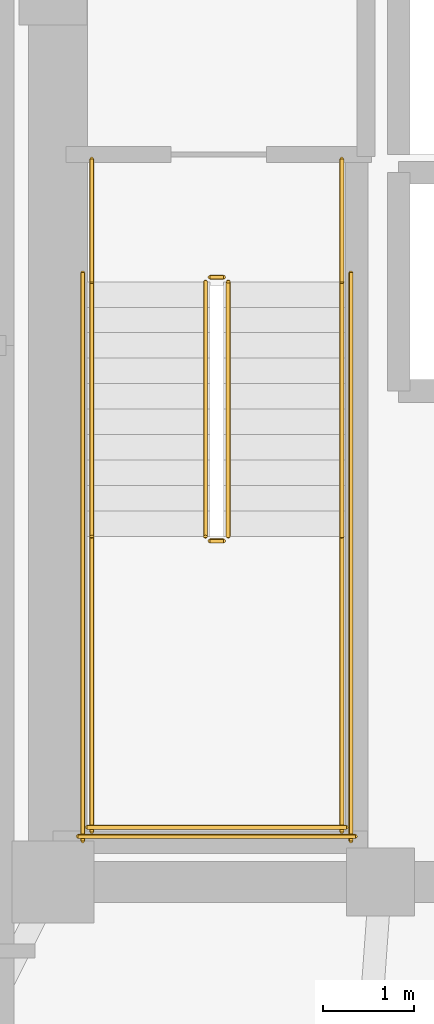
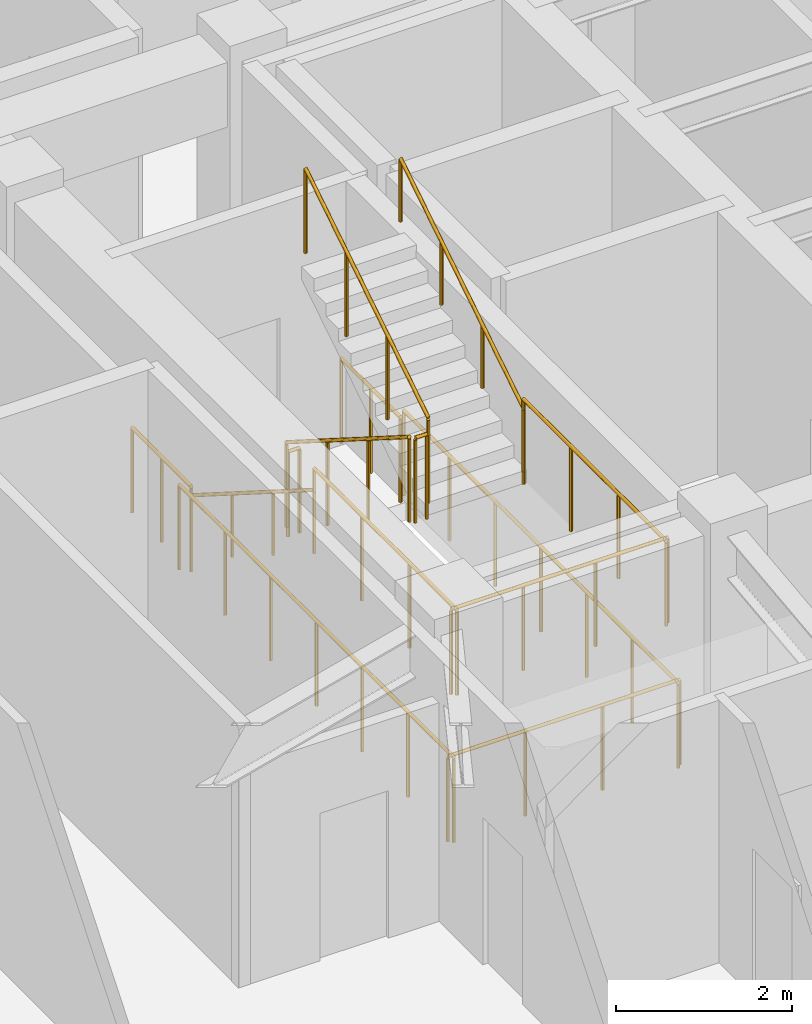
# One storey, part 10 of 12: 14 railings.
"""IFC4 building model written with IfcOpenShell, lengths in metres."""

import ifcopenshell
import ifcopenshell.guid

model = None  # the IFC model being written
_history = None  # IfcOwnerHistory: only IFC2X3 demands one
_inside = {}  # id of a spatial element -> (the spatial element, [elements in it])
_under = {}  # id of a project, library or spatial element -> (it, [spatial elements below it])
_declared = {}  # id of a project -> (the project, [libraries it declares])
_typed = {}  # id of a type object -> (the type object, [elements of that type])
_made_of = {}  # id of a material, layer set ... -> (it, [elements and type objects made of it])


def new_model(schema):
    """Start an empty IFC model of exactly this schema.

    Asked for "IFC4X3", IfcOpenShell would pick the latest addendum, in which some entities
    have other attributes; the version numbers below select the first issue.
    IFC2X3 requires an IfcOwnerHistory on every rooted entity: one is made here for all.
    """
    global model, _history
    if schema == "IFC4X3":
        model = ifcopenshell.file(schema_version=(4, 3, 0, 0))
    else:
        model = ifcopenshell.file(schema=schema)
    _inside.clear()
    _under.clear()
    _declared.clear()
    _typed.clear()
    _made_of.clear()
    _history = None
    if model.schema == "IFC2X3":
        org = make("IfcOrganization", Name="unknown")
        user = make(
            "IfcPersonAndOrganization",
            ThePerson=make("IfcPerson", FamilyName="unknown"),
            TheOrganization=org,
        )
        app = make(
            "IfcApplication",
            ApplicationDeveloper=org,
            Version="unknown",
            ApplicationFullName="unknown",
            ApplicationIdentifier="unknown",
        )
        _history = make(
            "IfcOwnerHistory",
            OwningUser=user,
            OwningApplication=app,
            ChangeAction="ADDED",
            CreationDate=0,
        )
    return model


def make(cls, **values):
    """One entity of the class cls with the attributes given. An attribute that is None is left unset."""
    return model.create_entity(
        cls, **{name: value for name, value in values.items() if value is not None}
    )


def rooted(cls, **values):
    """An entity with a GlobalId (a new one), such as an element, a storey or a relation."""
    return make(cls, GlobalId=ifcopenshell.guid.new(), OwnerHistory=_history, **values)


def si_unit(unit_type, name, prefix=None):
    """IfcSIUnit, for example si_unit("LENGTHUNIT", "METRE", prefix="MILLI")."""
    return make("IfcSIUnit", UnitType=unit_type, Prefix=prefix, Name=name)


def assignment(units):
    """IfcUnitAssignment: the units of a project."""
    return None if units is None else make("IfcUnitAssignment", Units=units)


def point(xyz):
    """IfcCartesianPoint."""
    return None if xyz is None else make("IfcCartesianPoint", Coordinates=xyz)


def direction(xyz):
    """IfcDirection."""
    return None if xyz is None else make("IfcDirection", DirectionRatios=xyz)


def frame(location, z_axis=None, x_axis=None):
    """IfcAxis2Placement3D, a coordinate frame: its origin and axes. An axis left out is left unset."""
    return make(
        "IfcAxis2Placement3D",
        Location=point(location),
        Axis=direction(z_axis),
        RefDirection=direction(x_axis),
    )


def frame_2d(location, x_axis=None):
    """IfcAxis2Placement2D, a coordinate frame in the plane: its origin and x axis."""
    return make(
        "IfcAxis2Placement2D", Location=point(location), RefDirection=direction(x_axis)
    )


def origin():
    """The frame at (0, 0, 0) with its axes left unset."""
    return frame((0.0, 0.0, 0.0))


def origin_2d():
    """The frame at (0, 0) in the plane with its x axis left unset."""
    return frame_2d((0.0, 0.0))


def place(relative_to, where):
    """IfcLocalPlacement: puts the frame where relative to a parent placement (None: the world)."""
    return make(
        "IfcLocalPlacement", PlacementRelTo=relative_to, RelativePlacement=where
    )


def context(
    kind, dimensions, precision=None, world=None, true_north=None, identifier=None
):
    """IfcGeometricRepresentationContext, for example the 3D "Model" context."""
    return make(
        "IfcGeometricRepresentationContext",
        ContextIdentifier=identifier,
        ContextType=kind,
        CoordinateSpaceDimension=dimensions,
        Precision=precision,
        WorldCoordinateSystem=world,
        TrueNorth=true_north,
    )


def subcontext(parent, identifier, kind, view, scale=None):
    """IfcGeometricRepresentationSubContext, for example "Body" below "Model"."""
    return make(
        "IfcGeometricRepresentationSubContext",
        ContextIdentifier=identifier,
        ContextType=kind,
        ParentContext=parent,
        TargetScale=scale,
        TargetView=view,
    )


def project(units=None, contexts=None):
    """IfcProject with its units and contexts."""
    return rooted(
        "IfcProject",
        Name="project",
        RepresentationContexts=contexts,
        UnitsInContext=assignment(units),
    )


def spatial(cls, under=None, at=None, **own):
    """A site, building, storey or space (cls), placed at a placement, below another one or the project."""
    s = rooted(cls, ObjectPlacement=at, **own)
    if under is not None:
        _under.setdefault(under.id(), (under, []))[1].append(s)
    return s


def profile(cls, at=None, kind="AREA", **sizes):
    """A parametric profile (cls). Its sizes go by their IFC names, for example OverallWidth=200.0."""
    return make(cls, ProfileType=kind, Position=at, **sizes)


def circle(**sizes):
    """IfcCircleProfileDef."""
    return profile("IfcCircleProfileDef", **sizes)


def extrude(swept, where, along, depth):
    """IfcExtrudedAreaSolid: the profile swept, set in the frame where, extruded along a direction by depth."""
    return make(
        "IfcExtrudedAreaSolid",
        SweptArea=swept,
        Position=where,
        ExtrudedDirection=direction(along),
        Depth=depth,
    )


def shape(context_of_items, identifier, shape_type, items):
    """IfcShapeRepresentation: the items that make up one representation, for example the "Body"."""
    return make(
        "IfcShapeRepresentation",
        ContextOfItems=context_of_items,
        RepresentationIdentifier=identifier,
        RepresentationType=shape_type,
        Items=items,
    )


def material(Name=None, Category=None):
    """IfcMaterial."""
    return make("IfcMaterial", Name=Name, Category=Category)


def made_of(thing, what):
    """Note that an element or type object is made of a material, layer set ...; save() writes the relation."""
    if what is not None:
        _made_of.setdefault(what.id(), (what, []))[1].append(thing)
    return thing


def type_object(cls, material=None, **own):
    """A type object (cls), such as IfcWallType, which elements share."""
    return made_of(rooted(cls, **own), material)


def element(
    cls,
    number,
    at=None,
    inside=None,
    cuts=None,
    type_object=None,
    material=None,
    context=None,
    identifier="Body",
    shape_type=None,
    held_by="IfcProductDefinitionShape",
    body=None,
    shapes=None,
    **own,
):
    """One element of the class cls, such as IfcWall. Its Tag is "e" and its number.

    at: its placement. inside: the storey or other place that contains it. cuts: it is an
    opening in that element (IfcRelVoidsElement). A single representation is given by context,
    identifier, shape_type and body (its items); several are given by shapes. held_by: the class
    of the entity that holds the representations. save() writes the other relations.
    """
    e = rooted(cls, Tag="e%d" % number, ObjectPlacement=at, **own)
    if body is not None:
        shapes = [shape(context, identifier, shape_type, body)]
    if shapes is not None:
        e.Representation = make(held_by, Representations=shapes)
    if inside is not None:
        _inside.setdefault(inside.id(), (inside, []))[1].append(e)
    if cuts is not None:
        rooted(
            "IfcRelVoidsElement", RelatingBuildingElement=cuts, RelatedOpeningElement=e
        )
    if type_object is not None:
        _typed.setdefault(type_object.id(), (type_object, []))[1].append(e)
    return made_of(e, material)


def aggregate(whole, parts):
    """IfcRelAggregates: a whole, such as a stair, and the parts it consists of."""
    return rooted("IfcRelAggregates", RelatingObject=whole, RelatedObjects=parts)


def save(model, path):
    """Write the relations noted so far, then the file.

    IfcRelAggregates (storeys below a building ...), IfcRelContainedInSpatialStructure (elements
    in a storey), IfcRelDefinesByType, IfcRelAssociatesMaterial and IfcRelDeclares: one each for
    every whole, place, type object, material and project.
    """
    for whole, parts in _under.values():
        aggregate(whole, parts)
    for where, things in _inside.values():
        rooted(
            "IfcRelContainedInSpatialStructure",
            RelatedElements=things,
            RelatingStructure=where,
        )
    for kind, things in _typed.values():
        rooted("IfcRelDefinesByType", RelatedObjects=things, RelatingType=kind)
    for what, things in _made_of.values():
        rooted("IfcRelAssociatesMaterial", RelatedObjects=things, RelatingMaterial=what)
    for by, libraries in _declared.values():
        rooted("IfcRelDeclares", RelatingContext=by, RelatedDefinitions=libraries)
    model.write(path)


model = new_model("IFC4")

# Units and contexts
model_context = context("Model", 3, precision=1e-05, world=origin(), true_north=direction((0.0, 1.0)))
body_context = subcontext(model_context, "Body", "Model", "MODEL_VIEW")
ifc_project = project(units=[si_unit("LENGTHUNIT", "METRE"), si_unit("AREAUNIT", "SQUARE_METRE"), si_unit("VOLUMEUNIT", "CUBIC_METRE"), si_unit("PLANEANGLEUNIT", "RADIAN"), si_unit("MASSUNIT", "GRAM", prefix="KILO")], contexts=[model_context])

# Site, building, storey
site_placement = place(None, origin())
site = spatial("IfcSite", under=ifc_project, at=site_placement, CompositionType="ELEMENT")
building_placement = place(site_placement, origin())
building = spatial("IfcBuilding", under=site, at=building_placement, Name="Voryun Gate Residences", CompositionType="ELEMENT")
storey_placement = place(building_placement, frame((0.0, 0.0, 159.89990234375)))
storey = spatial("IfcBuildingStorey", under=building, at=storey_placement, Name="L39", CompositionType="ELEMENT", Elevation=159.89990234375)

# Railings
ifc_material_1 = material(Name="Painted steel", Category="steel")
railing_type_1 = type_object("IfcRailingType", Name="RAIL_STAIR_GUARD_1200", PredefinedType="GUARDRAIL", material=ifc_material_1)
railing_1_placement = place(storey_placement, frame((-17.52490234375, -0.800048828125, 0.177490234375)))
element("IfcRailing", 1, at=railing_1_placement, inside=storey, type_object=railing_type_1, Name="L39 ST-W1 stair guard 1", PredefinedType="GUARDRAIL", context=body_context, shape_type="SweptSolid", body=[
    extrude(circle(Radius=0.02392578125, at=origin_2d()), frame((0.0, 0.0, 1.17578125), z_axis=(0.0, -0.844908973607, 0.534910110503), x_axis=(1.0, 0.0, 0.0)), (0.0, 0.0, 1.0), 3.31396484375),
    extrude(circle(Radius=0.02099609375, at=origin_2d()), origin(), (0.0, 0.0, 1.0), 1.15185546875),
    extrude(circle(Radius=0.02099609375, at=origin_2d()), frame((0.0, -0.933349609375, 0.5908203125)), (0.0, 0.0, 1.0), 1.15185546875),
    extrude(circle(Radius=0.02099609375, at=origin_2d()), frame((0.0, -1.86669921875, 1.181884765625)), (0.0, 0.0, 1.0), 1.15185546875),
    extrude(circle(Radius=0.02099609375, at=origin_2d()), frame((0.0, -2.800048828125, 1.772705078125)), (0.0, 0.0, 1.0), 1.15185546875),
])
railing_2_placement = place(storey_placement, frame((-17.47509765625, -3.64990234375, 1.9501953125)))
element("IfcRailing", 2, at=railing_2_placement, inside=storey, type_object=railing_type_1, Name="L39 ST-W1 stair guard 2", PredefinedType="GUARDRAIL", context=body_context, shape_type="SweptSolid", body=[
    extrude(circle(Radius=0.02392578125, at=origin_2d()), frame((0.0, 0.0, 1.17578125), z_axis=(1.0, 0.0, 0.0), x_axis=(0.0, 1.0, 0.0)), (0.0, 0.0, 1.0), 0.150146484375),
    extrude(circle(Radius=0.02099609375, at=origin_2d()), origin(), (0.0, 0.0, 1.0), 1.15185546875),
    extrude(circle(Radius=0.02099609375, at=origin_2d()), frame((0.150146484375, 0.0, 0.0)), (0.0, 0.0, 1.0), 1.15185546875),
])
for number, where, name in (
    (3, (-18.77490234375, -3.60009765625, 1.9501953125), "L39 ST-W1 stair guard 3"),
    (4, (-16.02490234375, -3.60009765625, 1.9501953125), "L39 ST-W1 stair guard 4"),
):
    element("IfcRailing", number, at=place(storey_placement, frame(where)), inside=storey, type_object=railing_type_1, Name=name, PredefinedType="GUARDRAIL", context=body_context, shape_type="SweptSolid", body=[
        extrude(circle(Radius=0.02392578125, at=origin_2d()), frame((0.0, 0.0, 1.17578125), z_axis=(0.0, -1.0, 0.0), x_axis=(1.0, 0.0, 0.0)), (0.0, 0.0, 1.0), 3.25),
        extrude(circle(Radius=0.02099609375, at=origin_2d()), origin(), (0.0, 0.0, 1.0), 1.15185546875),
        extrude(circle(Radius=0.02099609375, at=origin_2d()), frame((0.0, -1.083251953125, 0.0)), (0.0, 0.0, 1.0), 1.15185546875),
        extrude(circle(Radius=0.02099609375, at=origin_2d()), frame((0.0, -2.166748046875, 0.0)), (0.0, 0.0, 1.0), 1.15185546875),
        extrude(circle(Radius=0.02099609375, at=origin_2d()), frame((0.0, -3.25, 0.0)), (0.0, 0.0, 1.0), 1.15185546875),
    ])
railing_3_placement = place(storey_placement, frame((-18.824951171875, -6.800048828125, 1.9501953125)))
element("IfcRailing", 5, at=railing_3_placement, inside=storey, type_object=railing_type_1, Name="L39 ST-W1 stair guard 5", PredefinedType="GUARDRAIL", context=body_context, shape_type="SweptSolid", body=[
    extrude(circle(Radius=0.02392578125, at=origin_2d()), frame((0.0, 0.0, 1.17578125), z_axis=(1.0, 0.0, 0.0), x_axis=(0.0, 1.0, 0.0)), (0.0, 0.0, 1.0), 2.849853515625),
    extrude(circle(Radius=0.02099609375, at=origin_2d()), origin(), (0.0, 0.0, 1.0), 1.15185546875),
    extrude(circle(Radius=0.02099609375, at=origin_2d()), frame((0.949951171875, 0.0, 0.0)), (0.0, 0.0, 1.0), 1.15185546875),
    extrude(circle(Radius=0.02099609375, at=origin_2d()), frame((1.89990234375, 0.0, 0.0)), (0.0, 0.0, 1.0), 1.15185546875),
    extrude(circle(Radius=0.02099609375, at=origin_2d()), frame((2.849853515625, 0.0, 0.0)), (0.0, 0.0, 1.0), 1.15185546875),
])
railing_4_placement = place(storey_placement, frame((-17.27490234375, -3.60009765625, 2.12744140625)))
element("IfcRailing", 6, at=railing_4_placement, inside=storey, type_object=railing_type_1, Name="L39 ST-W1 stair guard 6", PredefinedType="GUARDRAIL", context=body_context, shape_type="SweptSolid", body=[
    extrude(circle(Radius=0.02392578125, at=origin_2d()), frame((0.0, 0.0, 1.17578125), z_axis=(0.0, 0.844908973607, 0.534910110503), x_axis=(-1.0, 0.0, 0.0)), (0.0, 0.0, 1.0), 3.31396484375),
    extrude(circle(Radius=0.02099609375, at=origin_2d()), origin(), (0.0, 0.0, 1.0), 1.15185546875),
    extrude(circle(Radius=0.02099609375, at=origin_2d()), frame((0.0, 0.933349609375, 0.5908203125)), (0.0, 0.0, 1.0), 1.15185546875),
    extrude(circle(Radius=0.02099609375, at=origin_2d()), frame((0.0, 1.86669921875, 1.181884765625)), (0.0, 0.0, 1.0), 1.15185546875),
    extrude(circle(Radius=0.02099609375, at=origin_2d()), frame((0.0, 2.800048828125, 1.772705078125)), (0.0, 0.0, 1.0), 1.15185546875),
])
railing_5_placement = place(storey_placement, frame((-17.47509765625, -0.75, 0.0)))
element("IfcRailing", 7, at=railing_5_placement, inside=storey, type_object=railing_type_1, Name="L39 ST-W1 stair guard 7", PredefinedType="GUARDRAIL", context=body_context, shape_type="SweptSolid", body=[
    extrude(circle(Radius=0.02392578125, at=origin_2d()), frame((0.0, 0.0, 1.17578125), z_axis=(1.0, 0.0, 0.0), x_axis=(0.0, 1.0, 0.0)), (0.0, 0.0, 1.0), 0.150146484375),
    extrude(circle(Radius=0.02099609375, at=origin_2d()), origin(), (0.0, 0.0, 1.0), 1.15185546875),
    extrude(circle(Radius=0.02099609375, at=origin_2d()), frame((0.150146484375, 0.0, 0.0)), (0.0, 0.0, 1.0), 1.15185546875),
])
for number, where, name in (
    (8, (-18.77490234375, 0.550048828125, 0.0), "L39 ST-W1 stair guard 8"),
    (9, (-16.02490234375, 0.550048828125, 0.0), "L39 ST-W1 stair guard 9"),
):
    element("IfcRailing", number, at=place(storey_placement, frame(where)), inside=storey, type_object=railing_type_1, Name=name, PredefinedType="GUARDRAIL", context=body_context, shape_type="SweptSolid", body=[
        extrude(circle(Radius=0.02392578125, at=origin_2d()), frame((0.0, 0.0, 1.17578125), z_axis=(0.0, -1.0, 0.0), x_axis=(1.0, 0.0, 0.0)), (0.0, 0.0, 1.0), 1.35009765625),
        extrude(circle(Radius=0.02099609375, at=origin_2d()), origin(), (0.0, 0.0, 1.0), 1.15185546875),
        extrude(circle(Radius=0.02099609375, at=origin_2d()), frame((0.0, -0.675048828125, 0.0)), (0.0, 0.0, 1.0), 1.15185546875),
        extrude(circle(Radius=0.02099609375, at=origin_2d()), frame((0.0, -1.35009765625, 0.0)), (0.0, 0.0, 1.0), 1.15185546875),
    ])
for number, where, name in (
    (10, (-18.875, -0.699951171875, 0.0), "L39 ST-W1 stair guard 10"),
    (11, (-15.925048828125, -0.699951171875, 0.0), "L39 ST-W1 stair guard 11"),
):
    element("IfcRailing", number, at=place(storey_placement, frame(where)), inside=storey, type_object=railing_type_1, Name=name, PredefinedType="GUARDRAIL", context=body_context, shape_type="SweptSolid", body=[
        extrude(circle(Radius=0.02392578125, at=origin_2d()), frame((0.0, 0.0, 1.17578125), z_axis=(0.0, -1.0, 0.0), x_axis=(1.0, 0.0, 0.0)), (0.0, 0.0, 1.0), 6.25),
        extrude(circle(Radius=0.02099609375, at=origin_2d()), origin(), (0.0, 0.0, 1.0), 1.15185546875),
        extrude(circle(Radius=0.02099609375, at=origin_2d()), frame((0.0, -1.041748046875, 0.0)), (0.0, 0.0, 1.0), 1.15185546875),
        extrude(circle(Radius=0.02099609375, at=origin_2d()), frame((0.0, -2.083251953125, 0.0)), (0.0, 0.0, 1.0), 1.15185546875),
        extrude(circle(Radius=0.02099609375, at=origin_2d()), frame((0.0, -3.125, 0.0)), (0.0, 0.0, 1.0), 1.15185546875),
        extrude(circle(Radius=0.02099609375, at=origin_2d()), frame((0.0, -4.166748046875, 0.0)), (0.0, 0.0, 1.0), 1.15185546875),
        extrude(circle(Radius=0.02099609375, at=origin_2d()), frame((0.0, -5.208251953125, 0.0)), (0.0, 0.0, 1.0), 1.15185546875),
        extrude(circle(Radius=0.02099609375, at=origin_2d()), frame((0.0, -6.25, 0.0)), (0.0, 0.0, 1.0), 1.15185546875),
    ])
railing_6_placement = place(storey_placement, frame((-18.925048828125, -6.89990234375, 0.0)))
element("IfcRailing", 12, at=railing_6_placement, inside=storey, type_object=railing_type_1, Name="L39 ST-W1 stair guard 12", PredefinedType="GUARDRAIL", context=body_context, shape_type="SweptSolid", body=[
    extrude(circle(Radius=0.02392578125, at=origin_2d()), frame((0.0, 0.0, 1.17578125), z_axis=(1.0, 0.0, 0.0), x_axis=(0.0, 1.0, 0.0)), (0.0, 0.0, 1.0), 3.050048828125),
    extrude(circle(Radius=0.02099609375, at=origin_2d()), origin(), (0.0, 0.0, 1.0), 1.15185546875),
    extrude(circle(Radius=0.02099609375, at=origin_2d()), frame((1.0166015625, 0.0, 0.0)), (0.0, 0.0, 1.0), 1.15185546875),
    extrude(circle(Radius=0.02099609375, at=origin_2d()), frame((2.033447265625, 0.0, 0.0)), (0.0, 0.0, 1.0), 1.15185546875),
    extrude(circle(Radius=0.02099609375, at=origin_2d()), frame((3.050048828125, 0.0, 0.0)), (0.0, 0.0, 1.0), 1.15185546875),
])
ifc_material_2 = material(Name="Painted steel", Category="steel")
railing_type_2 = type_object("IfcRailingType", Name="RAIL_STAIR_HANDRAIL_900", PredefinedType="HANDRAIL", material=ifc_material_2)
railing_7_placement = place(storey_placement, frame((-18.77490234375, -0.800048828125, 0.177490234375)))
element("IfcRailing", 13, at=railing_7_placement, inside=storey, type_object=railing_type_2, Name="L39 ST-W1 stair handrail 1", PredefinedType="HANDRAIL", context=body_context, shape_type="SweptSolid", body=[
    extrude(circle(Radius=0.02392578125, at=origin_2d()), frame((0.0, 0.0, 0.8759765625), z_axis=(0.0, -0.844908973607, 0.534910110503), x_axis=(1.0, 0.0, 0.0)), (0.0, 0.0, 1.0), 3.31396484375),
    extrude(circle(Radius=0.02099609375, at=origin_2d()), origin(), (0.0, 0.0, 1.0), 0.851806640625),
    extrude(circle(Radius=0.02099609375, at=origin_2d()), frame((0.0, -0.933349609375, 0.5908203125)), (0.0, 0.0, 1.0), 0.851806640625),
    extrude(circle(Radius=0.02099609375, at=origin_2d()), frame((0.0, -1.86669921875, 1.181884765625)), (0.0, 0.0, 1.0), 0.851806640625),
    extrude(circle(Radius=0.02099609375, at=origin_2d()), frame((0.0, -2.800048828125, 1.772705078125)), (0.0, 0.0, 1.0), 0.851806640625),
])
railing_8_placement = place(storey_placement, frame((-16.02490234375, -3.60009765625, 2.12744140625)))
element("IfcRailing", 14, at=railing_8_placement, inside=storey, type_object=railing_type_2, Name="L39 ST-W1 stair handrail 2", PredefinedType="HANDRAIL", context=body_context, shape_type="SweptSolid", body=[
    extrude(circle(Radius=0.02392578125, at=origin_2d()), frame((0.0, 0.0, 0.8759765625), z_axis=(0.0, 0.844908973607, 0.534910110503), x_axis=(-1.0, 0.0, 0.0)), (0.0, 0.0, 1.0), 3.31396484375),
    extrude(circle(Radius=0.02099609375, at=origin_2d()), origin(), (0.0, 0.0, 1.0), 0.851806640625),
    extrude(circle(Radius=0.02099609375, at=origin_2d()), frame((0.0, 0.933349609375, 0.5908203125)), (0.0, 0.0, 1.0), 0.851806640625),
    extrude(circle(Radius=0.02099609375, at=origin_2d()), frame((0.0, 1.86669921875, 1.181884765625)), (0.0, 0.0, 1.0), 0.851806640625),
    extrude(circle(Radius=0.02099609375, at=origin_2d()), frame((0.0, 2.800048828125, 1.772705078125)), (0.0, 0.0, 1.0), 0.851806640625),
])

save(model, "model.ifc")
